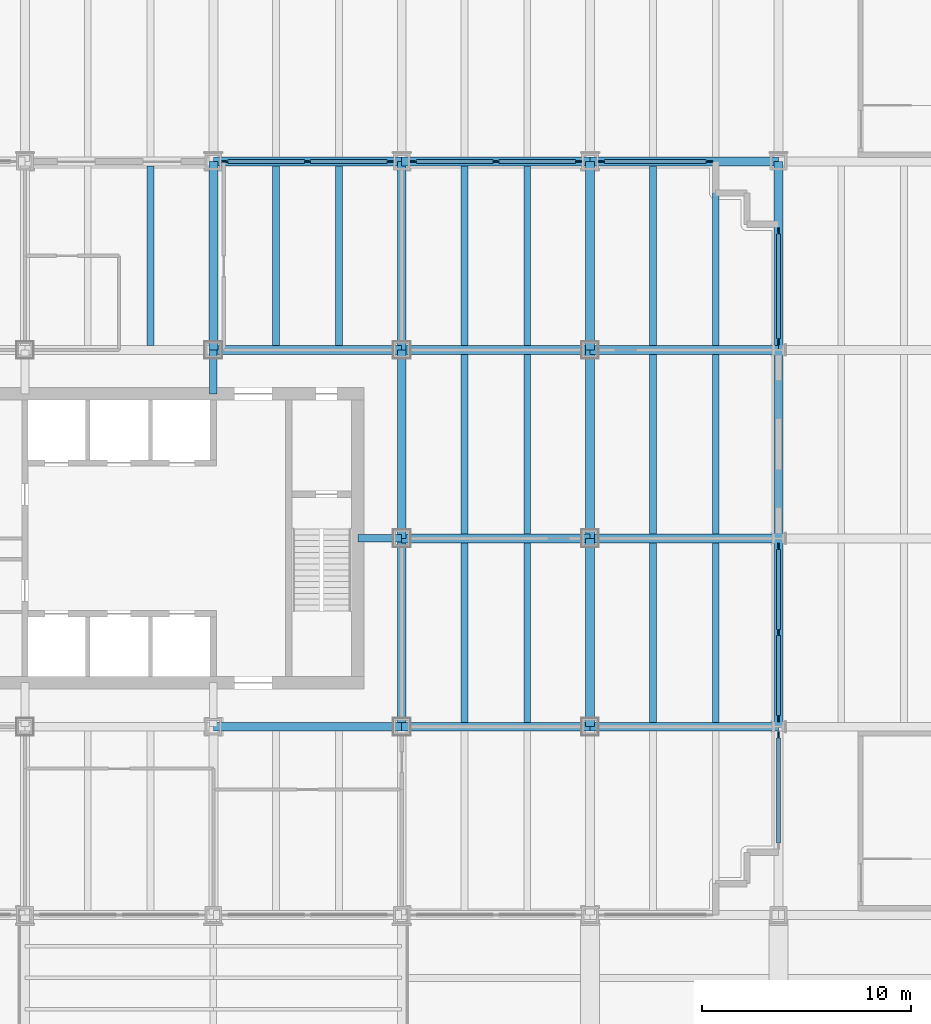
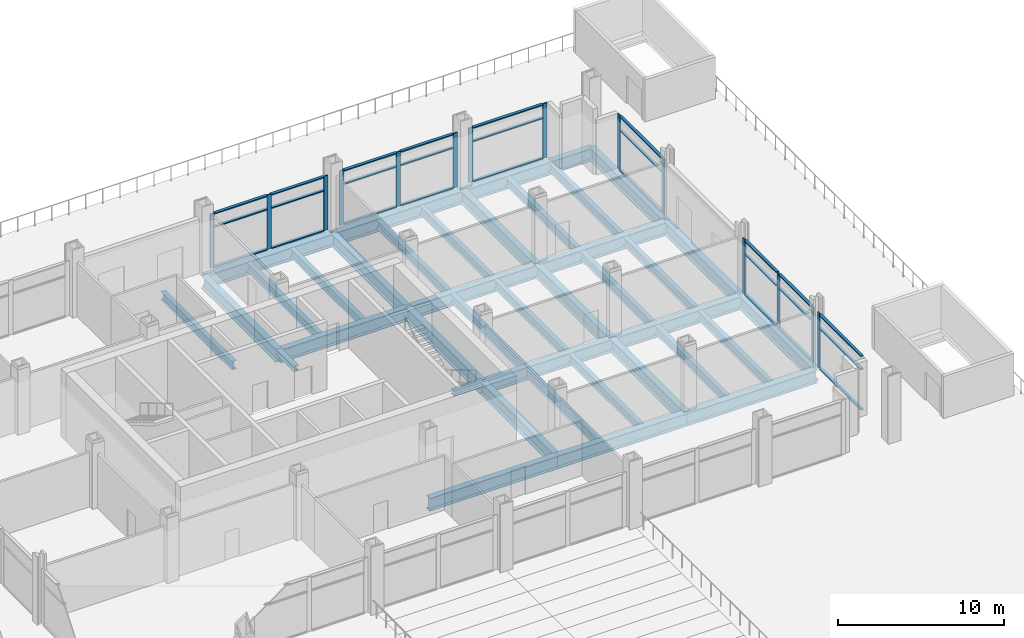
# One storey, part 5 of 16: 43 members, 36 beams, 6 elements without a shape of their own.
"""IFC4 building model written with IfcOpenShell, lengths in metres."""

from ifc_helpers import new_model, si_unit, direction, frame, origin, origin_2d, place, context, subcontext, project, spatial, rectangle, i_section, extrude, material, material_profile, profile_set, type_object, element, aggregate, save


model = new_model("IFC4")

# Units and contexts
model_context = context("Model", 3, precision=1e-05, world=origin(), true_north=direction((0.0, 1.0)))
body_context = subcontext(model_context, "Body", "Model", "MODEL_VIEW")
ifc_project = project(units=[si_unit("LENGTHUNIT", "METRE"), si_unit("AREAUNIT", "SQUARE_METRE"), si_unit("VOLUMEUNIT", "CUBIC_METRE"), si_unit("PLANEANGLEUNIT", "RADIAN"), si_unit("MASSUNIT", "GRAM", prefix="KILO")], contexts=[model_context])

# Site, building, storey
site_placement = place(None, origin())
site = spatial("IfcSite", under=ifc_project, at=site_placement, CompositionType="ELEMENT")
building_placement = place(site_placement, origin())
building = spatial("IfcBuilding", under=site, at=building_placement, Name="Loomwork Tower", CompositionType="ELEMENT")
storey_placement = place(building_placement, frame((0.0, 0.0, 23.0)))
storey = spatial("IfcBuildingStorey", under=building, at=storey_placement, Name="L04", CompositionType="ELEMENT", Elevation=23.0)

# Members
ifc_material_1 = material(Name="Steel ASTM A992", Category="steel")
ifc_material_profile_1 = material_profile(ifc_material_1, i_section(OverallWidth=0.373291015625, OverallDepth=0.373291015625, WebThickness=0.016357421875, FlangeThickness=0.026123046875, at=origin_2d()), Name="W14x132")
ifc_profile_set_1 = profile_set([ifc_material_profile_1], Name="Steel ASTM A992")
member_type_1 = type_object("IfcMemberType", Name="CORE LINK STRUT W14x132", PredefinedType="STRUT", material=ifc_profile_set_1)
for number, where, z_axis, x_axis, name in (
    (1, (36.0, 18.0, -0.486572265625), (-1.0, 0.0, 0.0), (0.0, -1.0, 0.0), "Core link strut F/6-33.900,18.000 L04"),
    (2, (27.0, 27.0, -0.486572265625), (0.0, -1.0, 0.0), (1.0, 0.0, 0.0), "Core link strut G/5-27.000,24.900 L04"),
):
    element("IfcMember", number, at=place(storey_placement, frame(where, z_axis=z_axis, x_axis=x_axis)), inside=storey, type_object=member_type_1, Name=name, PredefinedType="STRUT", context=body_context, shape_type="SweptSolid", body=[
        extrude(i_section(OverallWidth=0.373291015625, OverallDepth=0.373291015625, WebThickness=0.016357421875, FlangeThickness=0.026123046875, at=origin_2d()), origin(), (0.0, 0.0, 1.0), 2.10009765625),
    ])

# Beams
ifc_material_2 = material(Name="Steel ASTM A992", Category="steel")
ifc_material_profile_2 = material_profile(ifc_material_2, i_section(OverallWidth=0.3251953125, OverallDepth=0.612060546875, WebThickness=0.0126953125, FlangeThickness=0.01904296875, at=origin_2d()), Name="W24x104")
ifc_profile_set_2 = profile_set([ifc_material_profile_2], Name="Steel ASTM A992")
beam_type_1 = type_object("IfcBeamType", Name="FLOOR JOIST W24x104", PredefinedType="JOIST", material=ifc_profile_set_2)
for number, where, z_axis, x_axis, name in (
    (3, (24.0, 27.2119140625, -0.60595703125), (0.0, 1.0, 0.0), (-1.0, 0.0, 0.0), "Floor Joist 24.000,27.000-24.000,36.000 L04"),
    (4, (30.0, 27.2119140625, -0.60595703125), (0.0, 1.0, 0.0), (-1.0, 0.0, 0.0), "Floor Joist 30.000,27.000-30.000,36.000 L04"),
    (5, (33.0, 27.2119140625, -0.60595703125), (0.0, 1.0, 0.0), (-1.0, 0.0, 0.0), "Floor Joist 33.000,27.000-33.000,36.000 L04"),
    (6, (39.0, 9.2119140625, -0.60595703125), (0.0, 1.0, 0.0), (-1.0, 0.0, 0.0), "Floor Joist 39.000,9.000-39.000,18.000 L04"),
    (7, (42.0, 9.2119140625, -0.60595703125), (0.0, 1.0, 0.0), (-1.0, 0.0, 0.0), "Floor Joist 42.000,9.000-42.000,18.000 L04"),
    (8, (39.0, 18.2119140625, -0.60595703125), (0.0, 1.0, 0.0), (-1.0, 0.0, 0.0), "Floor Joist 39.000,18.000-39.000,27.000 L04"),
    (9, (42.0, 18.2119140625, -0.60595703125), (0.0, 1.0, 0.0), (-1.0, 0.0, 0.0), "Floor Joist 42.000,18.000-42.000,27.000 L04"),
    (10, (39.0, 27.2119140625, -0.60595703125), (0.0, 1.0, 0.0), (-1.0, 0.0, 0.0), "Floor Joist 39.000,27.000-39.000,36.000 L04"),
    (11, (42.0, 27.2119140625, -0.60595703125), (0.0, 1.0, 0.0), (-1.0, 0.0, 0.0), "Floor Joist 42.000,27.000-42.000,36.000 L04"),
    (12, (48.0, 9.2119140625, -0.60595703125), (0.0, 1.0, 0.0), (-1.0, 0.0, 0.0), "Floor Joist 48.000,9.000-48.000,18.000 L04"),
    (13, (51.0, 9.2119140625, -0.60595703125), (0.0, 1.0, 0.0), (-1.0, 0.0, 0.0), "Floor Joist 51.000,9.000-51.000,18.000 L04"),
    (14, (48.0, 18.2119140625, -0.60595703125), (0.0, 1.0, 0.0), (-1.0, 0.0, 0.0), "Floor Joist 48.000,18.000-48.000,27.000 L04"),
    (15, (51.0, 18.2119140625, -0.60595703125), (0.0, 1.0, 0.0), (-1.0, 0.0, 0.0), "Floor Joist 51.000,18.000-51.000,27.000 L04"),
    (16, (48.0, 27.2119140625, -0.60595703125), (0.0, 1.0, 0.0), (-1.0, 0.0, 0.0), "Floor Joist 48.000,27.000-48.000,36.000 L04"),
    (17, (51.0, 27.2119140625, -0.60595703125), (0.0, 1.0, 0.0), (-1.0, 0.0, 0.0), "Floor Joist 51.000,27.000-51.000,36.000 L04"),
):
    element("IfcBeam", number, at=place(storey_placement, frame(where, z_axis=z_axis, x_axis=x_axis)), inside=storey, type_object=beam_type_1, Name=name, PredefinedType="JOIST", context=body_context, shape_type="SweptSolid", body=[
        extrude(i_section(OverallWidth=0.3251953125, OverallDepth=0.612060546875, WebThickness=0.0126953125, FlangeThickness=0.01904296875, at=origin_2d()), origin(), (0.0, 0.0, 1.0), 8.576171875),
    ])

# Curtain wall, members
ifc_material_3 = material(Name="Aluminium curtain wall frame", Category="aluminium")
curtain_wall_type = type_object("IfcCurtainWallType", Name="Sky lobby glazing", PredefinedType="NOTDEFINED", material=ifc_material_3)
curtain_wall_1_placement = place(storey_placement, origin())
curtain_wall_1 = element("IfcCurtainWall", 18, at=curtain_wall_1_placement, inside=storey, type_object=curtain_wall_type, Name="Sky lobby glazing cw/N-27", PredefinedType="NOTDEFINED")
ifc_material_4 = material(Name="Aluminium curtain wall frame", Category="aluminium")
ifc_material_profile_3 = material_profile(ifc_material_4, rectangle(XDim=0.080078125, YDim=0.300048828125, at=origin_2d()), Name="AL 80x300")
ifc_profile_set_3 = profile_set([ifc_material_profile_3], Name="Aluminium curtain wall frame")
member_type_2 = type_object("IfcMemberType", Name="Sky lobby glazing mullion", PredefinedType="MULLION", material=ifc_profile_set_3)
member_1_placement = place(storey_placement, frame((35.449951171875, 36.0, 0.0), z_axis=(0.0, 0.0, 1.0), x_axis=(0.0, -1.0, 0.0)))
member_1 = element("IfcMember", 19, at=member_1_placement, type_object=member_type_2, Name="CW6 mullion 1", PredefinedType="MULLION", context=body_context, shape_type="SweptSolid", body=[
    extrude(rectangle(XDim=0.080078125, YDim=0.300048828125, at=origin_2d()), origin(), (0.0, 0.0, 1.0), 4.020263671875),
])
member_2_placement = place(storey_placement, frame((31.5, 36.0, 0.0), z_axis=(0.0, 0.0, 1.0), x_axis=(0.0, -1.0, 0.0)))
member_2 = element("IfcMember", 20, at=member_2_placement, type_object=member_type_2, Name="CW6 mullion 2", PredefinedType="MULLION", context=body_context, shape_type="SweptSolid", body=[
    extrude(rectangle(XDim=0.080078125, YDim=0.300048828125, at=origin_2d()), origin(), (0.0, 0.0, 1.0), 4.020263671875),
])
member_3_placement = place(storey_placement, frame((27.550048828125, 36.0, 0.0), z_axis=(0.0, 0.0, 1.0), x_axis=(0.0, -1.0, 0.0)))
member_3 = element("IfcMember", 21, at=member_3_placement, type_object=member_type_2, Name="CW6 mullion 3", PredefinedType="MULLION", context=body_context, shape_type="SweptSolid", body=[
    extrude(rectangle(XDim=0.080078125, YDim=0.300048828125, at=origin_2d()), origin(), (0.0, 0.0, 1.0), 4.020263671875),
])

curtain_wall_2_placement = place(storey_placement, origin())
curtain_wall_2 = element("IfcCurtainWall", 22, at=curtain_wall_2_placement, inside=storey, type_object=curtain_wall_type, Name="Sky lobby glazing cw/N-36", PredefinedType="NOTDEFINED")
member_4_placement = place(storey_placement, frame((44.449951171875, 36.0, 0.0), z_axis=(0.0, 0.0, 1.0), x_axis=(0.0, -1.0, 0.0)))
member_4 = element("IfcMember", 23, at=member_4_placement, type_object=member_type_2, Name="CW6 mullion 1", PredefinedType="MULLION", context=body_context, shape_type="SweptSolid", body=[
    extrude(rectangle(XDim=0.080078125, YDim=0.300048828125, at=origin_2d()), origin(), (0.0, 0.0, 1.0), 4.020263671875),
])
member_5_placement = place(storey_placement, frame((40.5, 36.0, 0.0), z_axis=(0.0, 0.0, 1.0), x_axis=(0.0, -1.0, 0.0)))
member_5 = element("IfcMember", 24, at=member_5_placement, type_object=member_type_2, Name="CW6 mullion 2", PredefinedType="MULLION", context=body_context, shape_type="SweptSolid", body=[
    extrude(rectangle(XDim=0.080078125, YDim=0.300048828125, at=origin_2d()), origin(), (0.0, 0.0, 1.0), 4.020263671875),
])
member_6_placement = place(storey_placement, frame((36.550048828125, 36.0, 0.0), z_axis=(0.0, 0.0, 1.0), x_axis=(0.0, -1.0, 0.0)))
member_6 = element("IfcMember", 25, at=member_6_placement, type_object=member_type_2, Name="CW6 mullion 3", PredefinedType="MULLION", context=body_context, shape_type="SweptSolid", body=[
    extrude(rectangle(XDim=0.080078125, YDim=0.300048828125, at=origin_2d()), origin(), (0.0, 0.0, 1.0), 4.020263671875),
])

curtain_wall_3_placement = place(storey_placement, origin())
curtain_wall_3 = element("IfcCurtainWall", 26, at=curtain_wall_3_placement, inside=storey, type_object=curtain_wall_type, Name="Sky lobby glazing cw/N-45", PredefinedType="NOTDEFINED")
member_7_placement = place(storey_placement, frame((50.699951171875, 36.0, 0.0), z_axis=(0.0, 0.0, 1.0), x_axis=(0.0, -1.0, 0.0)))
member_7 = element("IfcMember", 27, at=member_7_placement, type_object=member_type_2, Name="CW6 mullion 1", PredefinedType="MULLION", context=body_context, shape_type="SweptSolid", body=[
    extrude(rectangle(XDim=0.080078125, YDim=0.300048828125, at=origin_2d()), origin(), (0.0, 0.0, 1.0), 4.020263671875),
])
member_8_placement = place(storey_placement, frame((45.550048828125, 36.0, 0.0), z_axis=(0.0, 0.0, 1.0), x_axis=(0.0, -1.0, 0.0)))
member_8 = element("IfcMember", 28, at=member_8_placement, type_object=member_type_2, Name="CW6 mullion 2", PredefinedType="MULLION", context=body_context, shape_type="SweptSolid", body=[
    extrude(rectangle(XDim=0.080078125, YDim=0.300048828125, at=origin_2d()), origin(), (0.0, 0.0, 1.0), 4.020263671875),
])

# Curtain wall, member
curtain_wall_4_placement = place(storey_placement, origin())
curtain_wall_4 = element("IfcCurtainWall", 29, at=curtain_wall_4_placement, inside=storey, type_object=curtain_wall_type, Name="Sky lobby glazing cw/E-0", PredefinedType="NOTDEFINED")
member_9_placement = place(storey_placement, frame((54.0, 8.611083984375, 0.0), z_axis=(0.0, 0.0, 1.0), x_axis=(-1.0, 0.0, 0.0)))
member_9 = element("IfcMember", 30, at=member_9_placement, type_object=member_type_2, Name="CW6 mullion 2", PredefinedType="MULLION", context=body_context, shape_type="SweptSolid", body=[
    extrude(rectangle(XDim=0.080078125, YDim=0.300048828125, at=origin_2d()), origin(), (0.0, 0.0, 1.0), 4.020263671875),
])

# Curtain wall, members
curtain_wall_5_placement = place(storey_placement, origin())
curtain_wall_5 = element("IfcCurtainWall", 31, at=curtain_wall_5_placement, inside=storey, type_object=curtain_wall_type, Name="Sky lobby glazing cw/E-9", PredefinedType="NOTDEFINED")
member_10_placement = place(storey_placement, frame((54.0, 9.388916015625, 0.0), z_axis=(0.0, 0.0, 1.0), x_axis=(-1.0, 0.0, 0.0)))
member_10 = element("IfcMember", 32, at=member_10_placement, type_object=member_type_2, Name="CW6 mullion 1", PredefinedType="MULLION", context=body_context, shape_type="SweptSolid", body=[
    extrude(rectangle(XDim=0.080078125, YDim=0.300048828125, at=origin_2d()), origin(), (0.0, 0.0, 1.0), 4.020263671875),
])
member_11_placement = place(storey_placement, frame((54.0, 13.5, 0.0), z_axis=(0.0, 0.0, 1.0), x_axis=(-1.0, 0.0, 0.0)))
member_11 = element("IfcMember", 33, at=member_11_placement, type_object=member_type_2, Name="CW6 mullion 2", PredefinedType="MULLION", context=body_context, shape_type="SweptSolid", body=[
    extrude(rectangle(XDim=0.080078125, YDim=0.300048828125, at=origin_2d()), origin(), (0.0, 0.0, 1.0), 4.020263671875),
])
member_12_placement = place(storey_placement, frame((54.0, 17.611083984375, 0.0), z_axis=(0.0, 0.0, 1.0), x_axis=(-1.0, 0.0, 0.0)))
member_12 = element("IfcMember", 34, at=member_12_placement, type_object=member_type_2, Name="CW6 mullion 3", PredefinedType="MULLION", context=body_context, shape_type="SweptSolid", body=[
    extrude(rectangle(XDim=0.080078125, YDim=0.300048828125, at=origin_2d()), origin(), (0.0, 0.0, 1.0), 4.020263671875),
])

curtain_wall_6_placement = place(storey_placement, origin())
curtain_wall_6 = element("IfcCurtainWall", 35, at=curtain_wall_6_placement, inside=storey, type_object=curtain_wall_type, Name="Sky lobby glazing cw/E-27", PredefinedType="NOTDEFINED")
member_13_placement = place(storey_placement, frame((54.0, 27.388916015625, 0.0), z_axis=(0.0, 0.0, 1.0), x_axis=(-1.0, 0.0, 0.0)))
member_13 = element("IfcMember", 36, at=member_13_placement, type_object=member_type_2, Name="CW6 mullion 1", PredefinedType="MULLION", context=body_context, shape_type="SweptSolid", body=[
    extrude(rectangle(XDim=0.080078125, YDim=0.300048828125, at=origin_2d()), origin(), (0.0, 0.0, 1.0), 4.020263671875),
])
member_14_placement = place(storey_placement, frame((54.0, 32.699951171875, 0.0), z_axis=(0.0, 0.0, 1.0), x_axis=(-1.0, 0.0, 0.0)))
member_14 = element("IfcMember", 37, at=member_14_placement, type_object=member_type_2, Name="CW6 mullion 2", PredefinedType="MULLION", context=body_context, shape_type="SweptSolid", body=[
    extrude(rectangle(XDim=0.080078125, YDim=0.300048828125, at=origin_2d()), origin(), (0.0, 0.0, 1.0), 4.020263671875),
])

# Member
ifc_material_5 = material(Name="Aluminium curtain wall frame", Category="aluminium")
ifc_material_profile_4 = material_profile(ifc_material_5, rectangle(XDim=0.199951171875, YDim=0.080078125, at=origin_2d()), Name="AL 80x200")
ifc_profile_set_4 = profile_set([ifc_material_profile_4], Name="Aluminium curtain wall frame")
member_type_3 = type_object("IfcMemberType", Name="Sky lobby glazing transom", PredefinedType="USERDEFINED", material=ifc_profile_set_4)
member_15_placement = place(storey_placement, frame((35.300048828125, 36.0, 0.0400390625), z_axis=(-1.0, 0.0, 0.0), x_axis=(0.0, -1.0, 0.0)))
member_15 = element("IfcMember", 38, at=member_15_placement, type_object=member_type_3, Name="CW6 transom 1.1", ObjectType="TRANSOM", PredefinedType="USERDEFINED", context=body_context, shape_type="SweptSolid", body=[
    extrude(rectangle(XDim=0.199951171875, YDim=0.080078125, at=origin_2d()), origin(), (0.0, 0.0, 1.0), 3.650146484375),
])

member_16_placement = place(storey_placement, frame((35.300048828125, 36.0, 3.0), z_axis=(-1.0, 0.0, 0.0), x_axis=(0.0, -1.0, 0.0)))
member_16 = element("IfcMember", 39, at=member_16_placement, type_object=member_type_3, Name="CW6 transom 1.2", ObjectType="TRANSOM", PredefinedType="USERDEFINED", context=body_context, shape_type="SweptSolid", body=[
    extrude(rectangle(XDim=0.199951171875, YDim=0.080078125, at=origin_2d()), origin(), (0.0, 0.0, 1.0), 3.650146484375),
])

member_17_placement = place(storey_placement, frame((35.300048828125, 36.0, 3.980224609375), z_axis=(-1.0, 0.0, 0.0), x_axis=(0.0, -1.0, 0.0)))
member_17 = element("IfcMember", 40, at=member_17_placement, type_object=member_type_3, Name="CW6 transom 1.3", ObjectType="TRANSOM", PredefinedType="USERDEFINED", context=body_context, shape_type="SweptSolid", body=[
    extrude(rectangle(XDim=0.199951171875, YDim=0.080078125, at=origin_2d()), origin(), (0.0, 0.0, 1.0), 3.650146484375),
])

member_18_placement = place(storey_placement, frame((31.35009765625, 36.0, 0.0400390625), z_axis=(-1.0, 0.0, 0.0), x_axis=(0.0, -1.0, 0.0)))
member_18 = element("IfcMember", 41, at=member_18_placement, type_object=member_type_3, Name="CW6 transom 2.1", ObjectType="TRANSOM", PredefinedType="USERDEFINED", context=body_context, shape_type="SweptSolid", body=[
    extrude(rectangle(XDim=0.199951171875, YDim=0.080078125, at=origin_2d()), origin(), (0.0, 0.0, 1.0), 3.650146484375),
])

member_19_placement = place(storey_placement, frame((31.35009765625, 36.0, 3.0), z_axis=(-1.0, 0.0, 0.0), x_axis=(0.0, -1.0, 0.0)))
member_19 = element("IfcMember", 42, at=member_19_placement, type_object=member_type_3, Name="CW6 transom 2.2", ObjectType="TRANSOM", PredefinedType="USERDEFINED", context=body_context, shape_type="SweptSolid", body=[
    extrude(rectangle(XDim=0.199951171875, YDim=0.080078125, at=origin_2d()), origin(), (0.0, 0.0, 1.0), 3.650146484375),
])

member_20_placement = place(storey_placement, frame((31.35009765625, 36.0, 3.980224609375), z_axis=(-1.0, 0.0, 0.0), x_axis=(0.0, -1.0, 0.0)))
member_20 = element("IfcMember", 43, at=member_20_placement, type_object=member_type_3, Name="CW6 transom 2.3", ObjectType="TRANSOM", PredefinedType="USERDEFINED", context=body_context, shape_type="SweptSolid", body=[
    extrude(rectangle(XDim=0.199951171875, YDim=0.080078125, at=origin_2d()), origin(), (0.0, 0.0, 1.0), 3.650146484375),
])

aggregate(curtain_wall_1, [member_1, member_2, member_3, member_15, member_16, member_17, member_18, member_19, member_20])

member_21_placement = place(storey_placement, frame((44.300048828125, 36.0, 0.0400390625), z_axis=(-1.0, 0.0, 0.0), x_axis=(0.0, -1.0, 0.0)))
member_21 = element("IfcMember", 44, at=member_21_placement, type_object=member_type_3, Name="CW6 transom 1.1", ObjectType="TRANSOM", PredefinedType="USERDEFINED", context=body_context, shape_type="SweptSolid", body=[
    extrude(rectangle(XDim=0.199951171875, YDim=0.080078125, at=origin_2d()), origin(), (0.0, 0.0, 1.0), 3.650146484375),
])

member_22_placement = place(storey_placement, frame((44.300048828125, 36.0, 3.0), z_axis=(-1.0, 0.0, 0.0), x_axis=(0.0, -1.0, 0.0)))
member_22 = element("IfcMember", 45, at=member_22_placement, type_object=member_type_3, Name="CW6 transom 1.2", ObjectType="TRANSOM", PredefinedType="USERDEFINED", context=body_context, shape_type="SweptSolid", body=[
    extrude(rectangle(XDim=0.199951171875, YDim=0.080078125, at=origin_2d()), origin(), (0.0, 0.0, 1.0), 3.650146484375),
])

member_23_placement = place(storey_placement, frame((44.300048828125, 36.0, 3.980224609375), z_axis=(-1.0, 0.0, 0.0), x_axis=(0.0, -1.0, 0.0)))
member_23 = element("IfcMember", 46, at=member_23_placement, type_object=member_type_3, Name="CW6 transom 1.3", ObjectType="TRANSOM", PredefinedType="USERDEFINED", context=body_context, shape_type="SweptSolid", body=[
    extrude(rectangle(XDim=0.199951171875, YDim=0.080078125, at=origin_2d()), origin(), (0.0, 0.0, 1.0), 3.650146484375),
])

member_24_placement = place(storey_placement, frame((40.35009765625, 36.0, 0.0400390625), z_axis=(-1.0, 0.0, 0.0), x_axis=(0.0, -1.0, 0.0)))
member_24 = element("IfcMember", 47, at=member_24_placement, type_object=member_type_3, Name="CW6 transom 2.1", ObjectType="TRANSOM", PredefinedType="USERDEFINED", context=body_context, shape_type="SweptSolid", body=[
    extrude(rectangle(XDim=0.199951171875, YDim=0.080078125, at=origin_2d()), origin(), (0.0, 0.0, 1.0), 3.650146484375),
])

member_25_placement = place(storey_placement, frame((40.35009765625, 36.0, 3.0), z_axis=(-1.0, 0.0, 0.0), x_axis=(0.0, -1.0, 0.0)))
member_25 = element("IfcMember", 48, at=member_25_placement, type_object=member_type_3, Name="CW6 transom 2.2", ObjectType="TRANSOM", PredefinedType="USERDEFINED", context=body_context, shape_type="SweptSolid", body=[
    extrude(rectangle(XDim=0.199951171875, YDim=0.080078125, at=origin_2d()), origin(), (0.0, 0.0, 1.0), 3.650146484375),
])

member_26_placement = place(storey_placement, frame((40.35009765625, 36.0, 3.980224609375), z_axis=(-1.0, 0.0, 0.0), x_axis=(0.0, -1.0, 0.0)))
member_26 = element("IfcMember", 49, at=member_26_placement, type_object=member_type_3, Name="CW6 transom 2.3", ObjectType="TRANSOM", PredefinedType="USERDEFINED", context=body_context, shape_type="SweptSolid", body=[
    extrude(rectangle(XDim=0.199951171875, YDim=0.080078125, at=origin_2d()), origin(), (0.0, 0.0, 1.0), 3.650146484375),
])

aggregate(curtain_wall_2, [member_4, member_5, member_6, member_21, member_22, member_23, member_24, member_25, member_26])

member_27_placement = place(storey_placement, frame((50.550048828125, 36.0, 0.0400390625), z_axis=(-1.0, 0.0, 0.0), x_axis=(0.0, -1.0, 0.0)))
member_27 = element("IfcMember", 50, at=member_27_placement, type_object=member_type_3, Name="CW6 transom 1.1", ObjectType="TRANSOM", PredefinedType="USERDEFINED", context=body_context, shape_type="SweptSolid", body=[
    extrude(rectangle(XDim=0.199951171875, YDim=0.080078125, at=origin_2d()), origin(), (0.0, 0.0, 1.0), 4.85009765625),
])

member_28_placement = place(storey_placement, frame((50.550048828125, 36.0, 3.0), z_axis=(-1.0, 0.0, 0.0), x_axis=(0.0, -1.0, 0.0)))
member_28 = element("IfcMember", 51, at=member_28_placement, type_object=member_type_3, Name="CW6 transom 1.2", ObjectType="TRANSOM", PredefinedType="USERDEFINED", context=body_context, shape_type="SweptSolid", body=[
    extrude(rectangle(XDim=0.199951171875, YDim=0.080078125, at=origin_2d()), origin(), (0.0, 0.0, 1.0), 4.85009765625),
])

member_29_placement = place(storey_placement, frame((50.550048828125, 36.0, 3.980224609375), z_axis=(-1.0, 0.0, 0.0), x_axis=(0.0, -1.0, 0.0)))
member_29 = element("IfcMember", 52, at=member_29_placement, type_object=member_type_3, Name="CW6 transom 1.3", ObjectType="TRANSOM", PredefinedType="USERDEFINED", context=body_context, shape_type="SweptSolid", body=[
    extrude(rectangle(XDim=0.199951171875, YDim=0.080078125, at=origin_2d()), origin(), (0.0, 0.0, 1.0), 4.85009765625),
])

aggregate(curtain_wall_3, [member_7, member_8, member_27, member_28, member_29])

member_30_placement = place(storey_placement, frame((54.0, 3.449951171875, 0.0400390625), z_axis=(0.0, 1.0, 0.0), x_axis=(-1.0, 0.0, 0.0)))
member_30 = element("IfcMember", 53, at=member_30_placement, type_object=member_type_3, Name="CW6 transom 1.1", ObjectType="TRANSOM", PredefinedType="USERDEFINED", context=body_context, shape_type="SweptSolid", body=[
    extrude(rectangle(XDim=0.199951171875, YDim=0.080078125, at=origin_2d()), origin(), (0.0, 0.0, 1.0), 5.01123046875),
])

member_31_placement = place(storey_placement, frame((54.0, 3.449951171875, 3.0), z_axis=(0.0, 1.0, 0.0), x_axis=(-1.0, 0.0, 0.0)))
member_31 = element("IfcMember", 54, at=member_31_placement, type_object=member_type_3, Name="CW6 transom 1.2", ObjectType="TRANSOM", PredefinedType="USERDEFINED", context=body_context, shape_type="SweptSolid", body=[
    extrude(rectangle(XDim=0.199951171875, YDim=0.080078125, at=origin_2d()), origin(), (0.0, 0.0, 1.0), 5.01123046875),
])

member_32_placement = place(storey_placement, frame((54.0, 3.449951171875, 3.980224609375), z_axis=(0.0, 1.0, 0.0), x_axis=(-1.0, 0.0, 0.0)))
member_32 = element("IfcMember", 55, at=member_32_placement, type_object=member_type_3, Name="CW6 transom 1.3", ObjectType="TRANSOM", PredefinedType="USERDEFINED", context=body_context, shape_type="SweptSolid", body=[
    extrude(rectangle(XDim=0.199951171875, YDim=0.080078125, at=origin_2d()), origin(), (0.0, 0.0, 1.0), 5.01123046875),
])

aggregate(curtain_wall_4, [member_9, member_30, member_31, member_32])

member_33_placement = place(storey_placement, frame((54.0, 9.538818359375, 0.0400390625), z_axis=(0.0, 1.0, 0.0), x_axis=(-1.0, 0.0, 0.0)))
member_33 = element("IfcMember", 56, at=member_33_placement, type_object=member_type_3, Name="CW6 transom 1.1", ObjectType="TRANSOM", PredefinedType="USERDEFINED", context=body_context, shape_type="SweptSolid", body=[
    extrude(rectangle(XDim=0.199951171875, YDim=0.080078125, at=origin_2d()), origin(), (0.0, 0.0, 1.0), 3.811279296875),
])

member_34_placement = place(storey_placement, frame((54.0, 9.538818359375, 3.0), z_axis=(0.0, 1.0, 0.0), x_axis=(-1.0, 0.0, 0.0)))
member_34 = element("IfcMember", 57, at=member_34_placement, type_object=member_type_3, Name="CW6 transom 1.2", ObjectType="TRANSOM", PredefinedType="USERDEFINED", context=body_context, shape_type="SweptSolid", body=[
    extrude(rectangle(XDim=0.199951171875, YDim=0.080078125, at=origin_2d()), origin(), (0.0, 0.0, 1.0), 3.811279296875),
])

member_35_placement = place(storey_placement, frame((54.0, 9.538818359375, 3.980224609375), z_axis=(0.0, 1.0, 0.0), x_axis=(-1.0, 0.0, 0.0)))
member_35 = element("IfcMember", 58, at=member_35_placement, type_object=member_type_3, Name="CW6 transom 1.3", ObjectType="TRANSOM", PredefinedType="USERDEFINED", context=body_context, shape_type="SweptSolid", body=[
    extrude(rectangle(XDim=0.199951171875, YDim=0.080078125, at=origin_2d()), origin(), (0.0, 0.0, 1.0), 3.811279296875),
])

member_36_placement = place(storey_placement, frame((54.0, 13.64990234375, 0.0400390625), z_axis=(0.0, 1.0, 0.0), x_axis=(-1.0, 0.0, 0.0)))
member_36 = element("IfcMember", 59, at=member_36_placement, type_object=member_type_3, Name="CW6 transom 2.1", ObjectType="TRANSOM", PredefinedType="USERDEFINED", context=body_context, shape_type="SweptSolid", body=[
    extrude(rectangle(XDim=0.199951171875, YDim=0.080078125, at=origin_2d()), origin(), (0.0, 0.0, 1.0), 3.811279296875),
])

member_37_placement = place(storey_placement, frame((54.0, 13.64990234375, 3.0), z_axis=(0.0, 1.0, 0.0), x_axis=(-1.0, 0.0, 0.0)))
member_37 = element("IfcMember", 60, at=member_37_placement, type_object=member_type_3, Name="CW6 transom 2.2", ObjectType="TRANSOM", PredefinedType="USERDEFINED", context=body_context, shape_type="SweptSolid", body=[
    extrude(rectangle(XDim=0.199951171875, YDim=0.080078125, at=origin_2d()), origin(), (0.0, 0.0, 1.0), 3.811279296875),
])

member_38_placement = place(storey_placement, frame((54.0, 13.64990234375, 3.980224609375), z_axis=(0.0, 1.0, 0.0), x_axis=(-1.0, 0.0, 0.0)))
member_38 = element("IfcMember", 61, at=member_38_placement, type_object=member_type_3, Name="CW6 transom 2.3", ObjectType="TRANSOM", PredefinedType="USERDEFINED", context=body_context, shape_type="SweptSolid", body=[
    extrude(rectangle(XDim=0.199951171875, YDim=0.080078125, at=origin_2d()), origin(), (0.0, 0.0, 1.0), 3.811279296875),
])

aggregate(curtain_wall_5, [member_10, member_11, member_12, member_33, member_34, member_35, member_36, member_37, member_38])

member_39_placement = place(storey_placement, frame((54.0, 27.538818359375, 0.0400390625), z_axis=(0.0, 1.0, 0.0), x_axis=(-1.0, 0.0, 0.0)))
member_39 = element("IfcMember", 62, at=member_39_placement, type_object=member_type_3, Name="CW6 transom 1.1", ObjectType="TRANSOM", PredefinedType="USERDEFINED", context=body_context, shape_type="SweptSolid", body=[
    extrude(rectangle(XDim=0.199951171875, YDim=0.080078125, at=origin_2d()), origin(), (0.0, 0.0, 1.0), 5.01123046875),
])

member_40_placement = place(storey_placement, frame((54.0, 27.538818359375, 3.0), z_axis=(0.0, 1.0, 0.0), x_axis=(-1.0, 0.0, 0.0)))
member_40 = element("IfcMember", 63, at=member_40_placement, type_object=member_type_3, Name="CW6 transom 1.2", ObjectType="TRANSOM", PredefinedType="USERDEFINED", context=body_context, shape_type="SweptSolid", body=[
    extrude(rectangle(XDim=0.199951171875, YDim=0.080078125, at=origin_2d()), origin(), (0.0, 0.0, 1.0), 5.01123046875),
])

member_41_placement = place(storey_placement, frame((54.0, 27.538818359375, 3.980224609375), z_axis=(0.0, 1.0, 0.0), x_axis=(-1.0, 0.0, 0.0)))
member_41 = element("IfcMember", 64, at=member_41_placement, type_object=member_type_3, Name="CW6 transom 1.3", ObjectType="TRANSOM", PredefinedType="USERDEFINED", context=body_context, shape_type="SweptSolid", body=[
    extrude(rectangle(XDim=0.199951171875, YDim=0.080078125, at=origin_2d()), origin(), (0.0, 0.0, 1.0), 5.01123046875),
])

aggregate(curtain_wall_6, [member_13, member_14, member_39, member_40, member_41])

# Beams
ifc_material_6 = material(Name="Steel ASTM A992", Category="steel")
ifc_material_profile_5 = material_profile(ifc_material_6, i_section(OverallWidth=0.424072265625, OverallDepth=0.947509765625, WebThickness=0.02392578125, FlangeThickness=0.042724609375, at=origin_2d()), Name="W36x302")
ifc_profile_set_5 = profile_set([ifc_material_profile_5], Name="Steel ASTM A992")
beam_type_2 = type_object("IfcBeamType", Name="TRANSFER FLOOR GIRDER W36x302", PredefinedType="BEAM", material=ifc_profile_set_5)
for number, where, z_axis, x_axis, name in (
    (65, (27.0, 9.0, -0.773681640625), (1.0, 0.0, 0.0), (0.0, 1.0, 0.0), "Transfer Floor Girder E/5-E/6 L04"),
    (66, (36.0, 9.0, -0.773681640625), (1.0, 0.0, 0.0), (0.0, 1.0, 0.0), "Transfer Floor Girder E/6-E/7 L04"),
    (67, (45.0, 9.0, -0.773681640625), (1.0, 0.0, 0.0), (0.0, 1.0, 0.0), "Transfer Floor Girder E/7-E/8 L04"),
    (68, (36.0, 18.0, -0.773681640625), (1.0, 0.0, 0.0), (0.0, 1.0, 0.0), "Transfer Floor Girder F/6-F/7 L04"),
    (69, (45.0, 18.0, -0.773681640625), (1.0, 0.0, 0.0), (0.0, 1.0, 0.0), "Transfer Floor Girder F/7-F/8 L04"),
    (70, (27.0, 27.0, -0.773681640625), (1.0, 0.0, 0.0), (0.0, 1.0, 0.0), "Transfer Floor Girder G/5-G/6 L04"),
    (71, (36.0, 27.0, -0.773681640625), (1.0, 0.0, 0.0), (0.0, 1.0, 0.0), "Transfer Floor Girder G/6-G/7 L04"),
    (72, (45.0, 27.0, -0.773681640625), (1.0, 0.0, 0.0), (0.0, 1.0, 0.0), "Transfer Floor Girder G/7-G/8 L04"),
    (73, (27.0, 36.0, -0.773681640625), (1.0, 0.0, 0.0), (0.0, 1.0, 0.0), "Transfer Floor Girder H/5-H/6 L04"),
    (74, (36.0, 36.0, -0.773681640625), (1.0, 0.0, 0.0), (0.0, 1.0, 0.0), "Transfer Floor Girder H/6-H/7 L04"),
    (75, (45.0, 36.0, -0.773681640625), (1.0, 0.0, 0.0), (0.0, 1.0, 0.0), "Transfer Floor Girder H/7-H/8 L04"),
    (76, (27.0, 27.0, -0.773681640625), (0.0, 1.0, 0.0), (-1.0, 0.0, 0.0), "Transfer Floor Girder G/5-H/5 L04"),
    (77, (36.0, 9.0, -0.773681640625), (0.0, 1.0, 0.0), (-1.0, 0.0, 0.0), "Transfer Floor Girder E/6-F/6 L04"),
    (78, (36.0, 18.0, -0.773681640625), (0.0, 1.0, 0.0), (-1.0, 0.0, 0.0), "Transfer Floor Girder F/6-G/6 L04"),
    (79, (36.0, 27.0, -0.773681640625), (0.0, 1.0, 0.0), (-1.0, 0.0, 0.0), "Transfer Floor Girder G/6-H/6 L04"),
    (80, (45.0, 9.0, -0.773681640625), (0.0, 1.0, 0.0), (-1.0, 0.0, 0.0), "Transfer Floor Girder E/7-F/7 L04"),
    (81, (45.0, 18.0, -0.773681640625), (0.0, 1.0, 0.0), (-1.0, 0.0, 0.0), "Transfer Floor Girder F/7-G/7 L04"),
    (82, (45.0, 27.0, -0.773681640625), (0.0, 1.0, 0.0), (-1.0, 0.0, 0.0), "Transfer Floor Girder G/7-H/7 L04"),
    (83, (54.0, 9.0, -0.773681640625), (0.0, 1.0, 0.0), (-1.0, 0.0, 0.0), "Transfer Floor Girder E/8-F/8 L04"),
    (84, (54.0, 18.0, -0.773681640625), (0.0, 1.0, 0.0), (-1.0, 0.0, 0.0), "Transfer Floor Girder F/8-G/8 L04"),
    (85, (54.0, 27.0, -0.773681640625), (0.0, 1.0, 0.0), (-1.0, 0.0, 0.0), "Transfer Floor Girder G/8-H/8 L04"),
):
    element("IfcBeam", number, at=place(storey_placement, frame(where, z_axis=z_axis, x_axis=x_axis)), inside=storey, type_object=beam_type_2, Name=name, PredefinedType="BEAM", context=body_context, shape_type="SweptSolid", body=[
        extrude(i_section(OverallWidth=0.424072265625, OverallDepth=0.947509765625, WebThickness=0.02392578125, FlangeThickness=0.042724609375, at=origin_2d()), origin(), (0.0, 0.0, 1.0), 9.0),
    ])

save(model, "model.ifc")
